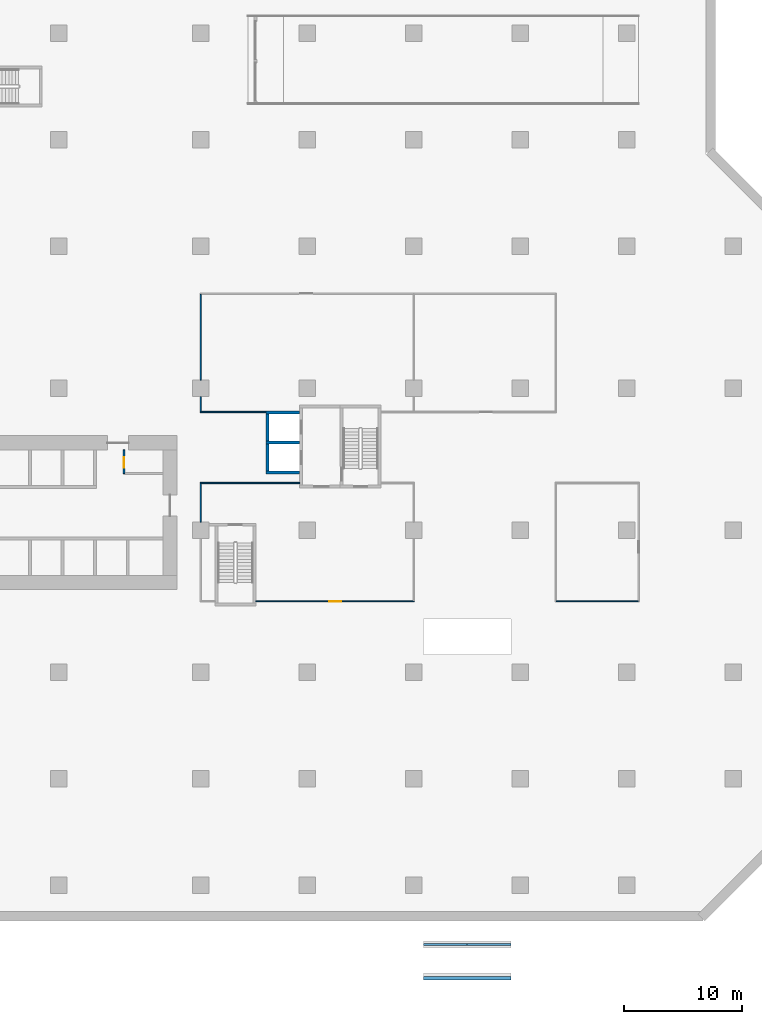
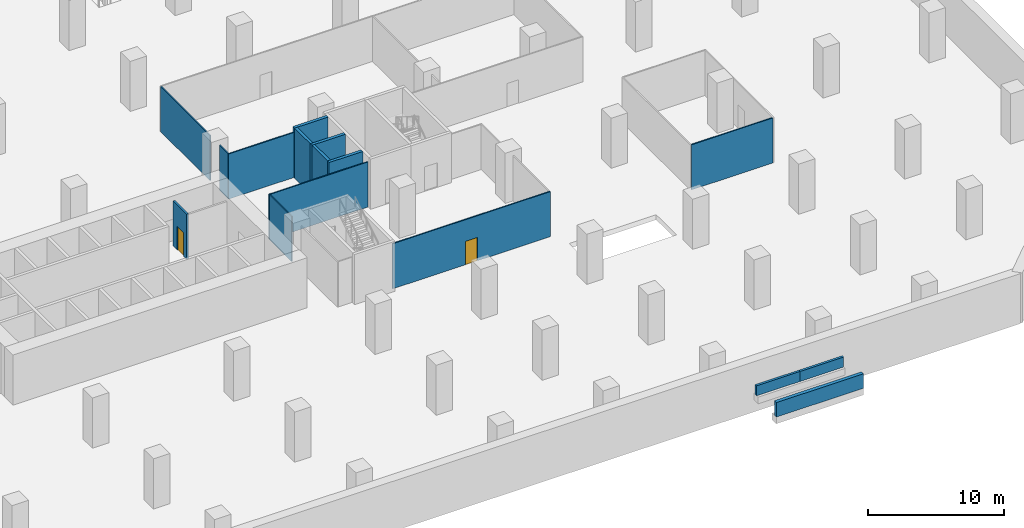
# One storey, part 4 of 9: 16 walls, 2 doors, 2 openings.
"""IFC4 building model written with IfcOpenShell, lengths in metres."""

from ifc_helpers import new_model, si_unit, direction, frame, frame_2d, origin, place, context, subcontext, project, spatial, rectangle, extrude, material, layer, layer_set, type_object, element, fill, save


model = new_model("IFC4")

# Units and contexts
model_context = context("Model", 3, precision=1e-05, world=origin(), true_north=direction((0.0, 1.0)))
body_context = subcontext(model_context, "Body", "Model", "MODEL_VIEW")
ifc_project = project(units=[si_unit("LENGTHUNIT", "METRE"), si_unit("AREAUNIT", "SQUARE_METRE"), si_unit("VOLUMEUNIT", "CUBIC_METRE"), si_unit("PLANEANGLEUNIT", "RADIAN"), si_unit("MASSUNIT", "GRAM", prefix="KILO")], contexts=[model_context])

# Site, building, storey
site_placement = place(None, origin())
site = spatial("IfcSite", under=ifc_project, at=site_placement, CompositionType="ELEMENT")
building_placement = place(site_placement, origin())
building = spatial("IfcBuilding", under=site, at=building_placement, Name="Chenar Terraces", CompositionType="ELEMENT")
storey_placement = place(building_placement, frame((0.0, 0.0, -4.5)))
storey = spatial("IfcBuildingStorey", under=building, at=storey_placement, Name="B1", CompositionType="ELEMENT", Elevation=-4.5)

# Wall, opening, door
ifc_material_1 = material(Name="Gypsum board on steel studs", Category="steel")
ifc_layer_1 = layer(ifc_material_1, 0.14990234375)
ifc_layer_set_1 = layer_set([ifc_layer_1], Name="Gypsum board on steel studs")
wall_type_1 = type_object("IfcWallType", Name="Core partition 150 gypsum board", PredefinedType="PARTITIONING", material=ifc_layer_set_1)
wall_1_placement = place(storey_placement, frame((29.5, 16.800048828125, 0.0), z_axis=(0.0, 0.0, 1.0), x_axis=(0.0, 1.0, 0.0)))
wall_1 = element("IfcWall", 1, at=wall_1_placement, inside=storey, type_object=wall_type_1, Name="Core partition CP1 vestibule room west wall", PredefinedType="PARTITIONING", context=body_context, shape_type="SweptSolid", body=[
    extrude(rectangle(XDim=2.0, YDim=0.14990234375, at=frame_2d((1.0, 0.0))), origin(), (0.0, 0.0, 1.0), 4.050048828125),
])
opening_1_placement = place(wall_1_placement, frame((0.5, 0.0, 0.0)))
opening_1 = element("IfcOpeningElement", 2, at=opening_1_placement, cuts=wall_1, Name="Opening DB1-C12", PredefinedType="OPENING", context=body_context, shape_type="SweptSolid", body=[
    extrude(rectangle(XDim=0.89990234375, YDim=2.10009765625, at=frame_2d((0.449951171875, 1.050048828125))), frame((0.0, 0.0849609375, 0.0), z_axis=(0.0, -1.0, 0.0), x_axis=(1.0, 0.0, 0.0)), (0.0, 0.0, 1.0), 0.169921875),
])
ifc_material_2 = material(Name="Steel-framed fire-resisting door leaf", Category="steel")
door_type_1 = type_object("IfcDoorType", Name="Riser fire door FD60 900 x 2100", OperationType="SINGLE_SWING_LEFT", PredefinedType="DOOR", material=ifc_material_2)
door_1_placement = place(opening_1_placement, frame((0.89990234375, 0.0, 0.0), z_axis=(0.0, 0.0, 1.0), x_axis=(-1.0, 0.0, 0.0)))
door_1 = element("IfcDoor", 3, at=door_1_placement, inside=storey, type_object=door_type_1, Name="Core room door DB1-C12", OperationType="SINGLE_SWING_RIGHT", OverallHeight=2.10009765625, OverallWidth=0.89990234375, PredefinedType="DOOR", context=body_context, shape_type="SweptSolid", body=[
    extrude(rectangle(XDim=0.89990234375, YDim=2.10009765625, at=frame_2d((0.449951171875, 1.050048828125))), frame((0.0, 0.02490234375, 0.0), z_axis=(0.0, -1.0, 0.0), x_axis=(1.0, 0.0, 0.0)), (0.0, 0.0, 1.0), 0.050048828125),
])
fill(opening_1, door_1)

# Walls
ifc_material_3 = material(Name="Concrete C70/85", Category="concrete")
ifc_layer_2 = layer(ifc_material_3, 0.25)
ifc_layer_set_2 = layer_set([ifc_layer_2], Name="Concrete C70/85")
wall_type_2 = type_object("IfcWallType", Name="Core wall 250 Concrete C70/85", PredefinedType="SHEAR", material=ifc_layer_set_2)
for number, where, z_axis, x_axis, name in (
    (4, (41.5, 16.875, 0.0), (0.0, 0.0, 1.0), (1.0, 0.0, 0.0), "Core wall F3_SS B1"),
    (5, (41.5, 19.425048828125, 0.0), (0.0, 0.0, 1.0), (1.0, 0.0, 0.0), "Core wall F3_SM B1"),
    (6, (41.5, 21.97509765625, 0.0), (0.0, 0.0, 1.0), (1.0, 0.0, 0.0), "Core wall F4_SN B1"),
):
    element("IfcWall", number, at=place(storey_placement, frame(where, z_axis=z_axis, x_axis=x_axis)), inside=storey, type_object=wall_type_2, Name=name, PredefinedType="SHEAR", context=body_context, shape_type="SweptSolid", body=[
        extrude(rectangle(XDim=2.85009765625, YDim=0.25, at=frame_2d((1.425048828125, 0.0))), origin(), (0.0, 0.0, 1.0), 4.5),
    ])
for number, where, z_axis, x_axis, name in (
    (7, (41.625, 17.0, 0.0), (0.0, 0.0, 1.0), (0.0, 1.0, 0.0), "Core wall F3_SW B1"),
    (8, (41.625, 19.550048828125, 0.0), (0.0, 0.0, 1.0), (0.0, 1.0, 0.0), "Core wall F4_SW B1"),
):
    element("IfcWall", number, at=place(storey_placement, frame(where, z_axis=z_axis, x_axis=x_axis)), inside=storey, type_object=wall_type_2, Name=name, PredefinedType="SHEAR", context=body_context, shape_type="SweptSolid", body=[
        extrude(rectangle(XDim=2.300048828125, YDim=0.25, at=frame_2d((1.14990234375, 0.0))), origin(), (0.0, 0.0, 1.0), 4.5),
    ])
ifc_material_4 = material(Name="Gypsum board on steel studs", Category="steel")
ifc_layer_3 = layer(ifc_material_4, 0.10009765625)
ifc_layer_set_3 = layer_set([ifc_layer_3], Name="Gypsum board on steel studs")
wall_type_3 = type_object("IfcWallType", Name="Gypsum partition 100", PredefinedType="PARTITIONING", material=ifc_layer_set_3)
wall_2_placement = place(storey_placement, frame((35.949951171875, 16.0, 0.0), z_axis=(0.0, 0.0, 1.0), x_axis=(1.0, 0.0, 0.0)))
element("IfcWall", 9, at=wall_2_placement, inside=storey, type_object=wall_type_3, Name="Partition B1-001", PredefinedType="PARTITIONING", context=body_context, shape_type="SweptSolid", body=[
    extrude(rectangle(XDim=8.400146484375, YDim=0.10009765625, at=frame_2d((4.2001953125, 0.0))), origin(), (0.0, 0.0, 1.0), 4.050048828125),
])
wall_3_placement = place(storey_placement, frame((35.949951171875, 22.0, 0.0), z_axis=(0.0, 0.0, 1.0), x_axis=(1.0, 0.0, 0.0)))
element("IfcWall", 10, at=wall_3_placement, inside=storey, type_object=wall_type_3, Name="Partition B1-002", PredefinedType="PARTITIONING", context=body_context, shape_type="SweptSolid", body=[
    extrude(rectangle(XDim=5.550048828125, YDim=0.10009765625, at=frame_2d((2.77490234375, 0.0))), origin(), (0.0, 0.0, 1.0), 4.050048828125),
])
wall_4_placement = place(storey_placement, frame((36.0, 12.698974609375, 0.0), z_axis=(0.0, 0.0, 1.0), x_axis=(0.0, 1.0, 0.0)))
element("IfcWall", 11, at=wall_4_placement, inside=storey, type_object=wall_type_3, Name="Partition B1-005", PredefinedType="PARTITIONING", context=body_context, shape_type="SweptSolid", body=[
    extrude(rectangle(XDim=3.2509765625, YDim=0.10009765625, at=frame_2d((1.62548828125, 0.0))), origin(), (0.0, 0.0, 1.0), 4.050048828125),
])
wall_5_placement = place(storey_placement, frame((36.0, 22.050048828125, 0.0), z_axis=(0.0, 0.0, 1.0), x_axis=(0.0, 1.0, 0.0)))
element("IfcWall", 12, at=wall_5_placement, inside=storey, type_object=wall_type_3, Name="Partition B1-006", PredefinedType="PARTITIONING", context=body_context, shape_type="SweptSolid", body=[
    extrude(rectangle(XDim=1.2509765625, YDim=0.10009765625, at=frame_2d((0.62548828125, 0.0))), origin(), (0.0, 0.0, 1.0), 4.050048828125),
])
wall_6_placement = place(storey_placement, frame((36.0, 24.698974609375, 0.0), z_axis=(0.0, 0.0, 1.0), x_axis=(0.0, 1.0, 0.0)))
element("IfcWall", 13, at=wall_6_placement, inside=storey, type_object=wall_type_3, Name="Partition B1-007", PredefinedType="PARTITIONING", context=body_context, shape_type="SweptSolid", body=[
    extrude(rectangle(XDim=7.2509765625, YDim=0.10009765625, at=frame_2d((3.62548828125, 0.0))), origin(), (0.0, 0.0, 1.0), 4.050048828125),
])

# Wall, opening, door
wall_7_placement = place(storey_placement, frame((40.64990234375, 6.0, 0.0), z_axis=(0.0, 0.0, 1.0), x_axis=(1.0, 0.0, 0.0)))
wall_7 = element("IfcWall", 14, at=wall_7_placement, inside=storey, type_object=wall_type_3, Name="Partition B1-009", PredefinedType="PARTITIONING", context=body_context, shape_type="SweptSolid", body=[
    extrude(rectangle(XDim=13.400146484375, YDim=0.10009765625, at=frame_2d((6.7001953125, 0.0))), origin(), (0.0, 0.0, 1.0), 4.050048828125),
])
opening_2_placement = place(wall_7_placement, frame((6.199951171875, 0.0, 0.0)))
opening_2 = element("IfcOpeningElement", 15, at=opening_2_placement, cuts=wall_7, Name="Opening DB1-2", PredefinedType="OPENING", context=body_context, shape_type="SweptSolid", body=[
    extrude(rectangle(XDim=1.0, YDim=2.10009765625, at=frame_2d((0.5, 1.050048828125))), frame((0.0, 0.06005859375, 0.0), z_axis=(0.0, -1.0, 0.0), x_axis=(1.0, 0.0, 0.0)), (0.0, 0.0, 1.0), 0.1201171875),
])
ifc_material_5 = material(Name="Veneered timber door leaf", Category="wood")
door_type_2 = type_object("IfcDoorType", Name="Door 1000 x 2100", OperationType="SINGLE_SWING_LEFT", PredefinedType="DOOR", material=ifc_material_5)
door_2_placement = place(opening_2_placement, origin())
door_2 = element("IfcDoor", 16, at=door_2_placement, inside=storey, type_object=door_type_2, Name="Door DB1-2", OperationType="SINGLE_SWING_LEFT", OverallHeight=2.10009765625, OverallWidth=1.0, PredefinedType="DOOR", context=body_context, shape_type="SweptSolid", body=[
    extrude(rectangle(XDim=1.0, YDim=2.10009765625, at=frame_2d((0.5, 1.050048828125))), frame((0.0, 0.02490234375, 0.0), z_axis=(0.0, -1.0, 0.0), x_axis=(1.0, 0.0, 0.0)), (0.0, 0.0, 1.0), 0.050048828125),
])
fill(opening_2, door_2)

# Walls
wall_8_placement = place(storey_placement, frame((66.050048828125, 6.0, 0.0), z_axis=(0.0, 0.0, 1.0), x_axis=(1.0, 0.0, 0.0)))
element("IfcWall", 17, at=wall_8_placement, inside=storey, type_object=wall_type_3, Name="Partition B1-018", PredefinedType="PARTITIONING", context=body_context, shape_type="SweptSolid", body=[
    extrude(rectangle(XDim=6.89990234375, YDim=0.10009765625, at=frame_2d((3.449951171875, 0.0))), origin(), (0.0, 0.0, 1.0), 4.050048828125),
])
ifc_material_6 = material(Name="Reinforced concrete C40/50", Category="concrete")
ifc_layer_4 = layer(ifc_material_6, 0.199951171875)
ifc_layer_set_4 = layer_set([ifc_layer_4], Name="Reinforced concrete C40/50")
wall_type_4 = type_object("IfcWallType", Name="Ramp bearing wall 200 concrete", PredefinedType="SOLIDWALL", material=ifc_layer_set_4)
for number, where, z_axis, x_axis, name in (
    (18, (54.800048828125, -22.989990234375, 3.050048828125), (0.0, 0.0, 1.0), (1.0, 0.0, 0.0), "Ramp bearing wall"),
    (19, (58.5, -22.989990234375, 3.050048828125), (0.0, 0.0, 1.0), (1.0, 0.0, 0.0), "Ramp bearing wall"),
):
    element("IfcWall", number, at=place(storey_placement, frame(where, z_axis=z_axis, x_axis=x_axis)), inside=storey, type_object=wall_type_4, Name=name, PredefinedType="SOLIDWALL", context=body_context, shape_type="SweptSolid", body=[
        extrude(rectangle(XDim=3.699951171875, YDim=0.199951171875, at=frame_2d((1.85009765625, 0.0))), origin(), (0.0, 0.0, 1.0), 0.89990234375),
    ])
ifc_material_7 = material(Name="Reinforced concrete C40/50", Category="concrete")
ifc_layer_5 = layer(ifc_material_7, 0.300048828125)
ifc_layer_set_5 = layer_set([ifc_layer_5], Name="Reinforced concrete C40/50")
wall_type_5 = type_object("IfcWallType", Name="Ramp head wall 300 concrete", PredefinedType="SOLIDWALL", material=ifc_layer_set_5)
wall_9_placement = place(storey_placement, frame((54.800048828125, -25.840087890625, 2.89990234375), z_axis=(0.0, 0.0, 1.0), x_axis=(1.0, 0.0, 0.0)))
element("IfcWall", 20, at=wall_9_placement, inside=storey, type_object=wall_type_5, Name="Ramp head wall", PredefinedType="SOLIDWALL", context=body_context, shape_type="SweptSolid", body=[
    extrude(rectangle(XDim=7.39990234375, YDim=0.300048828125, at=frame_2d((3.699951171875, 0.0))), origin(), (0.0, 0.0, 1.0), 1.300048828125),
])

save(model, "model.ifc")
